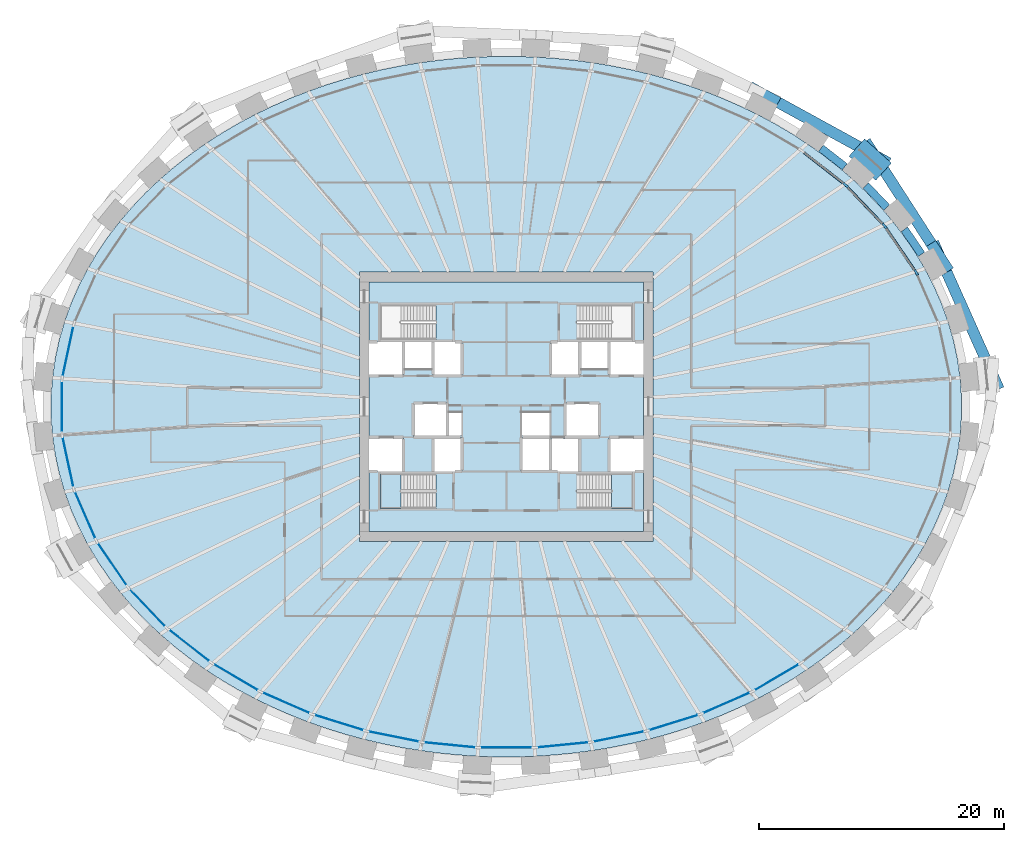
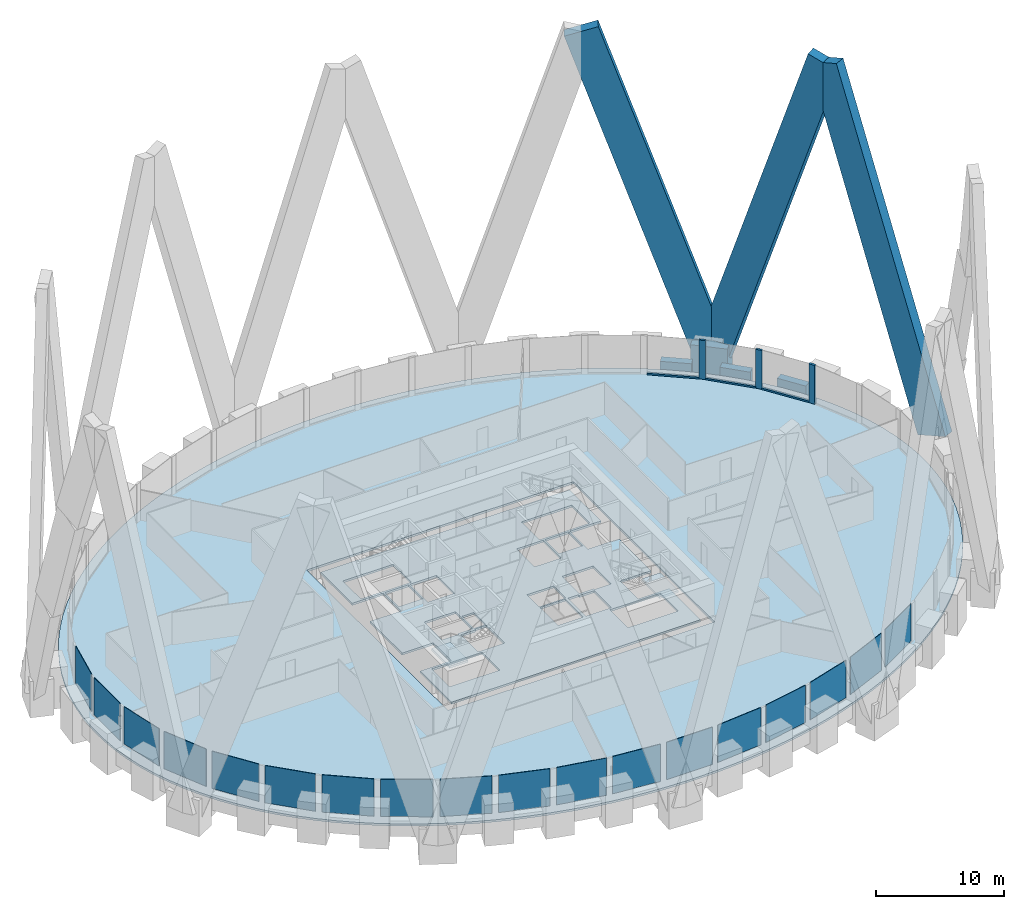
# One storey, part 5 of 12: 18 plates, 10 members, 4 slabs, 3 beams, 3 elements without a shape of their own.
"""IFC4 building model written with IfcOpenShell, lengths in metres."""

from ifc_helpers import new_model, si_unit, direction, frame, origin, origin_2d, place, context, subcontext, project, spatial, polyline, rectangle, outline, extrude, source, transform, mapped, material, layer, layer_set, material_profile, profile_set, type_object, element, aggregate, save


model = new_model("IFC4")

# Units and contexts
model_context = context("Model", 3, precision=1e-05, world=origin(), true_north=direction((0.0, 1.0)))
body_context = subcontext(model_context, "Body", "Model", "MODEL_VIEW")
ifc_project = project(units=[si_unit("LENGTHUNIT", "METRE"), si_unit("AREAUNIT", "SQUARE_METRE"), si_unit("VOLUMEUNIT", "CUBIC_METRE"), si_unit("PLANEANGLEUNIT", "RADIAN"), si_unit("MASSUNIT", "GRAM", prefix="KILO")], contexts=[model_context])

# Site, building, storey
site_placement = place(None, origin())
site = spatial("IfcSite", under=ifc_project, at=site_placement, CompositionType="ELEMENT")
building_placement = place(site_placement, origin())
building = spatial("IfcBuilding", under=site, at=building_placement, Name="Embergate Tower", CompositionType="ELEMENT")
storey_placement = place(building_placement, frame((0.0, 0.0, 159.89990234375)))
storey = spatial("IfcBuildingStorey", under=building, at=storey_placement, Name="L35", CompositionType="ELEMENT", Elevation=159.89990234375)

# Beams
ifc_material_1 = material(Name="Concrete C70", Category="concrete")
ifc_material_profile_1 = material_profile(ifc_material_1, rectangle(XDim=0.64990234375, YDim=1.5, at=origin_2d()), Name="RC 650x1500")
ifc_profile_set_1 = profile_set([ifc_material_profile_1], Name="Concrete C70")
beam_type = type_object("IfcBeamType", Name="Spandrel beam RC 650x1500 C70", PredefinedType="BEAM", material=ifc_profile_set_1)
shared_shape_1 = source(origin(), body_context, "Body", "SweptSolid", [
    extrude(rectangle(XDim=0.64990234375, YDim=1.5, at=origin_2d()), origin(), (0.0, 0.0, 1.0), 2.4775390625),
])
beam_1_placement = place(storey_placement, frame((33.910888671875, 12.43701171875, 0.0), z_axis=(-0.562159078618, 0.827029123022, 0.0), x_axis=(-0.827029123022, -0.562159078618, 0.0)))
element("IfcBeam", 1, at=beam_1_placement, inside=storey, type_object=beam_type, Name="SPN-L35-02", PredefinedType="BEAM", context=body_context, shape_type="MappedRepresentation", body=[
    mapped(shared_shape_1, transform((0.0, 0.0, 0.0))),
])
shared_shape_2 = source(origin(), body_context, "Body", "SweptSolid", [
    extrude(rectangle(XDim=0.64990234375, YDim=1.5, at=origin_2d()), origin(), (0.0, 0.0, 1.0), 2.473388671875),
])
beam_2_placement = place(storey_placement, frame((31.072021484375, 16.27490234375, 0.0), z_axis=(-0.69012823406, 0.723687101276, 0.0), x_axis=(-0.723687101276, -0.69012823406, 0.0)))
element("IfcBeam", 2, at=beam_2_placement, inside=storey, type_object=beam_type, Name="SPN-L35-03", PredefinedType="BEAM", context=body_context, shape_type="MappedRepresentation", body=[
    mapped(shared_shape_2, transform((0.0, 0.0, 0.0))),
])
shared_shape_3 = source(origin(), body_context, "Body", "SweptSolid", [
    extrude(rectangle(XDim=0.64990234375, YDim=1.5, at=origin_2d()), origin(), (0.0, 0.0, 1.0), 2.466552734375),
])
beam_3_placement = place(storey_placement, frame((27.64697265625, 19.593994140625, 0.0), z_axis=(-0.788172909908, 0.615453868367, 0.0), x_axis=(-0.615453868367, -0.788172909908, 0.0)))
element("IfcBeam", 3, at=beam_3_placement, inside=storey, type_object=beam_type, Name="SPN-L35-04", PredefinedType="BEAM", context=body_context, shape_type="MappedRepresentation", body=[
    mapped(shared_shape_3, transform((0.0, 0.0, 0.0))),
])

# Members
ifc_material_profile_2 = material_profile(ifc_material_1, rectangle(XDim=1.89990234375, YDim=2.949951171875, at=origin_2d()), Name="RC 1900x2950")
ifc_profile_set_2 = profile_set([ifc_material_profile_2], Name="Concrete C70")
member_type_1 = type_object("IfcMemberType", Name="Lattice node block RC 1900x2950", PredefinedType="POST", material=ifc_profile_set_2)
shared_shape_4 = source(origin(), body_context, "Body", "SweptSolid", [
    extrude(rectangle(XDim=1.89990234375, YDim=2.949951171875, at=origin_2d()), origin(), (0.0, 0.0, 1.0), 3.400146484375),
])
member_1_placement = place(storey_placement, frame((29.722900390625, 20.180908203125, -1.699951171875), z_axis=(0.0, 0.0, 1.0), x_axis=(0.669208424634, 0.74307475021, 0.0)))
element("IfcMember", 4, at=member_1_placement, inside=storey, type_object=member_type_1, Name="NOD-L35-04", PredefinedType="POST", context=body_context, shape_type="MappedRepresentation", body=[
    mapped(shared_shape_4, transform((0.0, 0.0, 0.0))),
])
ifc_material_profile_3 = material_profile(ifc_material_1, rectangle(XDim=0.89990234375, YDim=2.800048828125, at=origin_2d()), Name="RC 900x2800")
ifc_profile_set_3 = profile_set([ifc_material_profile_3], Name="Concrete C70")
member_type_2 = type_object("IfcMemberType", Name="Lattice diagonal terracotta-faced RC 900x2800", PredefinedType="BRACE", material=ifc_profile_set_3)
shared_shape_5 = source(origin(), body_context, "Body", "SweptSolid", [
    extrude(rectangle(XDim=0.89990234375, YDim=2.800048828125, at=origin_2d()), origin(), (0.0, 0.0, 1.0), 32.9140625),
])
member_2_placement = place(storey_placement, frame((39.698974609375, 2.636962890625, 0.0), z_axis=(-0.129940403603, 0.290760011464, 0.947931488687), x_axis=(-0.912977884992, -0.408009045876, 0.0)))
element("IfcMember", 5, at=member_2_placement, inside=storey, type_object=member_type_2, Name="BRC-L35-00-02-S00", PredefinedType="BRACE", context=body_context, shape_type="MappedRepresentation", body=[
    mapped(shared_shape_5, transform((0.0, 0.0, 0.0))),
])
shared_shape_6 = source(origin(), body_context, "Body", "SweptSolid", [
    extrude(rectangle(XDim=0.89990234375, YDim=2.800048828125, at=origin_2d()), origin(), (0.0, 0.0, 1.0), 32.739013671875),
])
member_3_placement = place(storey_placement, frame((30.052978515625, 20.547119140625, 0.0), z_axis=(0.163998706133, -0.254745352865, 0.953000120451), x_axis=(0.840827220232, 0.54130359847, 0.0)))
element("IfcMember", 6, at=member_3_placement, inside=storey, type_object=member_type_2, Name="BRC-L35-04-02-S00", PredefinedType="BRACE", context=body_context, shape_type="MappedRepresentation", body=[
    mapped(shared_shape_6, transform((0.0, 0.0, 0.0))),
])
shared_shape_7 = source(origin(), body_context, "Body", "SweptSolid", [
    extrude(rectangle(XDim=0.89990234375, YDim=2.800048828125, at=origin_2d()), origin(), (0.0, 0.0, 1.0), 32.844482421875),
])
member_4_placement = place(storey_placement, frame((30.052978515625, 20.547119140625, 0.0), z_axis=(-0.273959191558, 0.150218181631, 0.949937292282), x_axis=(-0.480789539649, -0.876836027182, 0.0)))
element("IfcMember", 7, at=member_4_placement, inside=storey, type_object=member_type_2, Name="BRC-L35-04-06-S00", PredefinedType="BRACE", context=body_context, shape_type="MappedRepresentation", body=[
    mapped(shared_shape_7, transform((0.0, 0.0, 0.0))),
])

# Curtain wall, members
ifc_material_2 = material(Name="Aluminium and glass", Category="aluminium")
curtain_wall_type = type_object("IfcCurtainWallType", Name="Recessed office glazing", PredefinedType="NOTDEFINED", material=ifc_material_2)
curtain_wall_placement = place(storey_placement, origin())
curtain_wall = element("IfcCurtainWall", 8, at=curtain_wall_placement, inside=storey, type_object=curtain_wall_type, Name="Recessed office glazing ring", ObjectType="RECESSED OFFICE GLAZING", PredefinedType="USERDEFINED")
ifc_material_3 = material(Name="Aluminium, thermally broken", Category="aluminium")
ifc_material_profile_4 = material_profile(ifc_material_3, rectangle(XDim=0.179931640625, YDim=0.52001953125, at=origin_2d()), Name="AL 520x180")
ifc_profile_set_4 = profile_set([ifc_material_profile_4], Name="Aluminium, thermally broken")
member_type_3 = type_object("IfcMemberType", Name="Office mullion", PredefinedType="MULLION", material=ifc_profile_set_4)
shared_shape_8 = source(origin(), body_context, "Body", "SweptSolid", [
    extrude(rectangle(XDim=0.179931640625, YDim=0.52001953125, at=origin_2d()), origin(), (0.0, 0.0, 1.0), 3.7001953125),
])
member_5_placement = place(storey_placement, frame((33.4765625, 10.96240234375, 0.0), z_axis=(0.0, 0.0, 1.0), x_axis=(-0.875001895832, -0.484119491748, 0.0)))
member_5 = element("IfcMember", 9, at=member_5_placement, type_object=member_type_3, Name="CW mullion 3", PredefinedType="MULLION", context=body_context, shape_type="MappedRepresentation", body=[
    mapped(shared_shape_8, transform((0.0, 0.0, 0.0))),
])
member_6_placement = place(storey_placement, frame((30.89306640625, 14.76123046875, 0.0), z_axis=(0.0, 0.0, 1.0), x_axis=(-0.777872564355, -0.628422050555, 0.0)))
member_6 = element("IfcMember", 10, at=member_6_placement, type_object=member_type_3, Name="CW mullion 4", PredefinedType="MULLION", context=body_context, shape_type="MappedRepresentation", body=[
    mapped(shared_shape_8, transform((0.0, 0.0, 0.0))),
])
member_7_placement = place(storey_placement, frame((27.716796875, 18.092041015625, 0.0), z_axis=(0.0, 0.0, 1.0), x_axis=(-0.671226533956, -0.741252278319, 0.0)))
member_7 = element("IfcMember", 11, at=member_7_placement, type_object=member_type_3, Name="CW mullion 5", PredefinedType="MULLION", context=body_context, shape_type="MappedRepresentation", body=[
    mapped(shared_shape_8, transform((0.0, 0.0, 0.0))),
])
ifc_material_profile_5 = material_profile(ifc_material_3, rectangle(XDim=0.179931640625, YDim=0.14990234375, at=origin_2d()), Name="AL 150x180")
ifc_profile_set_5 = profile_set([ifc_material_profile_5], Name="Aluminium, thermally broken")
member_type_4 = type_object("IfcMemberType", Name="Office sill transom", PredefinedType="USERDEFINED", material=ifc_profile_set_5)
shared_shape_9 = source(origin(), body_context, "Body", "SweptSolid", [
    extrude(rectangle(XDim=0.179931640625, YDim=0.14990234375, at=origin_2d()), origin(), (0.0, 0.0, 1.0), 4.073974609375),
])
member_8_placement = place(storey_placement, frame((33.330322265625, 11.177490234375, 0.0751953125), z_axis=(-0.562337885641, 0.826907553704, 0.0), x_axis=(-0.826907553704, -0.562337885641, 0.0)))
member_8 = element("IfcMember", 12, at=member_8_placement, type_object=member_type_4, Name="CW transom 3.1", ObjectType="TRANSOM", PredefinedType="USERDEFINED", context=body_context, shape_type="MappedRepresentation", body=[
    mapped(shared_shape_9, transform((0.0, 0.0, 0.0))),
])
shared_shape_10 = source(origin(), body_context, "Body", "SweptSolid", [
    extrude(rectangle(XDim=0.179931640625, YDim=0.14990234375, at=origin_2d()), origin(), (0.0, 0.0, 1.0), 4.082763671875),
])
member_9_placement = place(storey_placement, frame((30.713623046875, 14.949462890625, 0.0751953125), z_axis=(-0.690134333582, 0.723681284552, 0.0), x_axis=(-0.723681284552, -0.690134333582, 0.0)))
member_9 = element("IfcMember", 13, at=member_9_placement, type_object=member_type_4, Name="CW transom 4.1", ObjectType="TRANSOM", PredefinedType="USERDEFINED", context=body_context, shape_type="MappedRepresentation", body=[
    mapped(shared_shape_10, transform((0.0, 0.0, 0.0))),
])
shared_shape_11 = source(origin(), body_context, "Body", "SweptSolid", [
    extrude(rectangle(XDim=0.179931640625, YDim=0.14990234375, at=origin_2d()), origin(), (0.0, 0.0, 1.0), 4.090087890625),
])
member_10_placement = place(storey_placement, frame((27.51171875, 18.252197265625, 0.0751953125), z_axis=(-0.788341910095, 0.615237379219, 0.0), x_axis=(-0.615237379219, -0.788341910095, 0.0)))
member_10 = element("IfcMember", 14, at=member_10_placement, type_object=member_type_4, Name="CW transom 5.1", ObjectType="TRANSOM", PredefinedType="USERDEFINED", context=body_context, shape_type="MappedRepresentation", body=[
    mapped(shared_shape_11, transform((0.0, 0.0, 0.0))),
])

# Slab
ifc_material_4 = material(Name="Concrete C40", Category="concrete")
ifc_layer_1 = layer(ifc_material_4, 0.199951171875)
ifc_layer_set_1 = layer_set([ifc_layer_1], Name="Concrete C40")
slab_type_1 = type_object("IfcSlabType", Name="Composite floor slab C40 200", PredefinedType="FLOOR", material=ifc_layer_set_1)
shared_shape_12 = source(origin(), body_context, "Body", "SweptSolid", [
    extrude(outline(polyline([(0.0, 0.0), (1.57421875, 0.0), (3.14501953125, 0.052001953125), (4.718017578125, 0.154052734375), (6.2841796875, 0.307861328125), (7.840087890625, 0.512939453125), (9.398193359375, 0.77099609375), (10.941162109375, 1.0810546875), (12.464111328125, 1.44091796875), (13.9921875, 1.85791015625), (15.494140625, 2.324951171875), (16.968017578125, 2.843017578125), (18.444091796875, 3.4228515625), (19.88623046875, 4.053955078125), (21.2890625, 4.73291015625), (22.691162109375, 5.48095703125), (24.047119140625, 6.27783203125), (25.35400390625, 7.123046875), (26.652099609375, 8.0439453125), (27.89208984375, 9.011962890625), (29.071044921875, 10.02392578125), (30.22802734375, 11.118896484375), (31.31298828125, 12.2568359375), (32.32421875, 13.434814453125), (33.294189453125, 14.698974609375), (34.17822265625, 15.9990234375), (34.97509765625, 17.33203125), (35.7041015625, 18.743896484375), (36.336181640625, 20.183837890625), (36.8671875, 21.64697265625), (37.30615234375, 23.16796875), (37.63623046875, 24.703857421875), (37.858154296875, 26.251953125), (37.97021484375, 27.821044921875), (37.97021484375, 29.392822265625), (37.858154296875, 30.9619140625), (37.63623046875, 32.510009765625), (37.30615234375, 34.0458984375), (36.8671875, 35.56689453125), (36.336181640625, 37.030029296875), (35.7041015625, 38.469970703125), (34.97509765625, 39.8818359375), (34.17822265625, 41.21484375), (33.294189453125, 42.514892578125), (32.32421875, 43.779052734375), (31.31298828125, 44.95703125), (30.22802734375, 46.094970703125), (29.071044921875, 47.18994140625), (27.89208984375, 48.201904296875), (26.652099609375, 49.169921875), (25.35400390625, 50.0908203125), (24.047119140625, 50.93603515625), (22.691162109375, 51.73291015625), (21.2890625, 52.48095703125), (19.88623046875, 53.159912109375), (18.444091796875, 53.791015625), (16.968017578125, 54.370849609375), (15.494140625, 54.888916015625), (13.9921875, 55.35595703125), (12.464111328125, 55.77294921875), (10.941162109375, 56.1328125), (9.398193359375, 56.44287109375), (7.840087890625, 56.700927734375), (6.2841796875, 56.906005859375), (4.718017578125, 57.059814453125), (3.14501953125, 57.161865234375), (1.57421875, 57.2138671875), (0.0, 57.2138671875), (-1.57080078125, 57.161865234375), (-3.143798828125, 57.059814453125), (-4.7099609375, 56.906005859375), (-6.265869140625, 56.700927734375), (-7.823974609375, 56.44287109375), (-9.366943359375, 56.1328125), (-10.889892578125, 55.77294921875), (-12.41796875, 55.35595703125), (-13.919921875, 54.888916015625), (-15.393798828125, 54.370849609375), (-16.869873046875, 53.791015625), (-18.31201171875, 53.159912109375), (-19.71484375, 52.48095703125), (-21.116943359375, 51.73291015625), (-22.472900390625, 50.93603515625), (-23.77978515625, 50.0908203125), (-25.077880859375, 49.169921875), (-26.31787109375, 48.201904296875), (-27.496826171875, 47.18994140625), (-28.65380859375, 46.094970703125), (-29.73876953125, 44.95703125), (-30.75, 43.779052734375), (-31.719970703125, 42.514892578125), (-32.60400390625, 41.21484375), (-33.40087890625, 39.8818359375), (-34.1298828125, 38.469970703125), (-34.761962890625, 37.030029296875), (-35.29296875, 35.56689453125), (-35.73193359375, 34.0458984375), (-36.06201171875, 32.510009765625), (-36.283935546875, 30.9619140625), (-36.39599609375, 29.392822265625), (-36.39599609375, 27.821044921875), (-36.283935546875, 26.251953125), (-36.06201171875, 24.703857421875), (-35.73193359375, 23.16796875), (-35.29296875, 21.64697265625), (-34.761962890625, 20.183837890625), (-34.1298828125, 18.743896484375), (-33.40087890625, 17.33203125), (-32.60400390625, 15.9990234375), (-31.719970703125, 14.698974609375), (-30.75, 13.434814453125), (-29.73876953125, 12.2568359375), (-28.65380859375, 11.118896484375), (-27.496826171875, 10.02392578125), (-26.31787109375, 9.011962890625), (-25.077880859375, 8.0439453125), (-23.77978515625, 7.123046875), (-22.472900390625, 6.27783203125), (-21.116943359375, 5.48095703125), (-19.71484375, 4.73291015625), (-18.31201171875, 4.053955078125), (-16.869873046875, 3.4228515625), (-15.393798828125, 2.843017578125), (-13.919921875, 2.324951171875), (-12.41796875, 1.85791015625), (-10.889892578125, 1.44091796875), (-9.366943359375, 1.0810546875), (-7.823974609375, 0.77099609375), (-6.265869140625, 0.512939453125), (-4.7099609375, 0.307861328125), (-3.143798828125, 0.154052734375), (-1.57080078125, 0.052001953125), (0.0, 0.0)]), holes=[polyline([(-11.212890625, 17.60693359375), (-11.212890625, 39.60693359375), (12.787109375, 39.60693359375), (12.787109375, 17.60693359375), (-11.212890625, 17.60693359375)])]), origin(), (0.0, 0.0, 1.0), 0.199951171875),
])
slab_1_placement = place(storey_placement, frame((-0.787109375, -28.60693359375, -0.199951171875)))
element("IfcSlab", 15, at=slab_1_placement, inside=storey, type_object=slab_type_1, Name="SLB-L35-00", PredefinedType="FLOOR", context=body_context, shape_type="MappedRepresentation", body=[
    mapped(shared_shape_12, transform((0.0, 0.0, 0.0))),
])

# Plate
ifc_material_5 = material(Name="Triple glazing, low-emissivity coating", Category="glass")
ifc_layer_2 = layer(ifc_material_5, 0.035888671875)
ifc_layer_set_2 = layer_set([ifc_layer_2], Name="Triple glazing, low-emissivity coating")
plate_type = type_object("IfcPlateType", Name="Office glazing unit", PredefinedType="CURTAIN_PANEL", material=ifc_layer_set_2)
shared_shape_13 = source(origin(), body_context, "Body", "SweptSolid", [
    extrude(rectangle(XDim=4.05810546875, YDim=0.035888671875, at=origin_2d()), origin(), (0.0, 0.0, 1.0), 3.550048828125),
])
plate_1_placement = place(storey_placement, frame((-35.7998046875, 4.525634765625, 0.14990234375), z_axis=(0.0, 0.0, 1.0), x_axis=(-0.210398391177, -0.97761573074, 0.0)))
plate_1 = element("IfcPlate", 16, at=plate_1_placement, type_object=plate_type, Name="CW panel 21.1", PredefinedType="CURTAIN_PANEL", context=body_context, shape_type="MappedRepresentation", body=[
    mapped(shared_shape_13, transform((0.0, 0.0, 0.0))),
])

plate_2_placement = place(storey_placement, frame((-35.7998046875, -4.525634765625, 0.14990234375), z_axis=(0.0, 0.0, 1.0), x_axis=(0.210398391177, -0.97761573074, 0.0)))
plate_2 = element("IfcPlate", 17, at=plate_2_placement, type_object=plate_type, Name="CW panel 23.1", PredefinedType="CURTAIN_PANEL", context=body_context, shape_type="MappedRepresentation", body=[
    mapped(shared_shape_13, transform((0.0, 0.0, 0.0))),
])

shared_shape_14 = source(origin(), body_context, "Body", "SweptSolid", [
    extrude(rectangle(XDim=4.065185546875, YDim=0.035888671875, at=origin_2d()), origin(), (0.0, 0.0, 1.0), 3.550048828125),
])
plate_3_placement = place(storey_placement, frame((-34.397216796875, -8.863037109375, 0.14990234375), z_axis=(0.0, 0.0, 1.0), x_axis=(0.401652101157, -0.91579232888, 0.0)))
plate_3 = element("IfcPlate", 18, at=plate_3_placement, type_object=plate_type, Name="CW panel 24.1", PredefinedType="CURTAIN_PANEL", context=body_context, shape_type="MappedRepresentation", body=[
    mapped(shared_shape_14, transform((0.0, 0.0, 0.0))),
])

shared_shape_15 = source(origin(), body_context, "Body", "SweptSolid", [
    extrude(rectangle(XDim=4.073974609375, YDim=0.035888671875, at=origin_2d()), origin(), (0.0, 0.0, 1.0), 3.550048828125),
])
plate_4_placement = place(storey_placement, frame((-32.184814453125, -12.86181640625, 0.14990234375), z_axis=(0.0, 0.0, 1.0), x_axis=(0.562341741915, -0.826904931234, 0.0)))
plate_4 = element("IfcPlate", 19, at=plate_4_placement, type_object=plate_type, Name="CW panel 25.1", PredefinedType="CURTAIN_PANEL", context=body_context, shape_type="MappedRepresentation", body=[
    mapped(shared_shape_15, transform((0.0, 0.0, 0.0))),
])

shared_shape_16 = source(origin(), body_context, "Body", "SweptSolid", [
    extrude(rectangle(XDim=4.08251953125, YDim=0.035888671875, at=origin_2d()), origin(), (0.0, 0.0, 1.0), 3.550048828125),
])
plate_5_placement = place(storey_placement, frame((-29.304931640625, -16.4267578125, 0.14990234375), z_axis=(0.0, 0.0, 1.0), x_axis=(0.690135047526, -0.723680603703, 0.0)))
plate_5 = element("IfcPlate", 20, at=plate_5_placement, type_object=plate_type, Name="CW panel 26.1", PredefinedType="CURTAIN_PANEL", context=body_context, shape_type="MappedRepresentation", body=[
    mapped(shared_shape_16, transform((0.0, 0.0, 0.0))),
])

shared_shape_17 = source(origin(), body_context, "Body", "SweptSolid", [
    extrude(rectangle(XDim=4.090087890625, YDim=0.035888671875, at=origin_2d()), origin(), (0.0, 0.0, 1.0), 3.550048828125),
])
plate_6_placement = place(storey_placement, frame((-25.899658203125, -19.510498046875, 0.14990234375), z_axis=(0.0, 0.0, 1.0), x_axis=(0.788320119254, -0.615265300158, 0.0)))
plate_6 = element("IfcPlate", 21, at=plate_6_placement, type_object=plate_type, Name="CW panel 27.1", PredefinedType="CURTAIN_PANEL", context=body_context, shape_type="MappedRepresentation", body=[
    mapped(shared_shape_17, transform((0.0, 0.0, 0.0))),
])

shared_shape_18 = source(origin(), body_context, "Body", "SweptSolid", [
    extrude(rectangle(XDim=4.09619140625, YDim=0.035888671875, at=origin_2d()), origin(), (0.0, 0.0, 1.0), 3.550048828125),
])
plate_7_placement = place(storey_placement, frame((-22.0927734375, -22.098388671875, 0.14990234375), z_axis=(0.0, 0.0, 1.0), x_axis=(0.862053167811, -0.50681785275, 0.0)))
plate_7 = element("IfcPlate", 22, at=plate_7_placement, type_object=plate_type, Name="CW panel 28.1", PredefinedType="CURTAIN_PANEL", context=body_context, shape_type="MappedRepresentation", body=[
    mapped(shared_shape_18, transform((0.0, 0.0, 0.0))),
])

plate_8_placement = place(storey_placement, frame((22.0927734375, -22.098388671875, 0.14990234375), z_axis=(0.0, 0.0, 1.0), x_axis=(0.862053167811, 0.50681785275, 0.0)))
plate_8 = element("IfcPlate", 23, at=plate_8_placement, type_object=plate_type, Name="CW panel 38.1", PredefinedType="CURTAIN_PANEL", context=body_context, shape_type="MappedRepresentation", body=[
    mapped(shared_shape_18, transform((0.0, 0.0, 0.0))),
])

shared_shape_19 = source(origin(), body_context, "Body", "SweptSolid", [
    extrude(rectangle(XDim=4.1005859375, YDim=0.035888671875, at=origin_2d()), origin(), (0.0, 0.0, 1.0), 3.550048828125),
])
plate_9_placement = place(storey_placement, frame((-17.986328125, -24.193603515625, 0.14990234375), z_axis=(0.0, 0.0, 1.0), x_axis=(0.916236211741, -0.400638495772, 0.0)))
plate_9 = element("IfcPlate", 24, at=plate_9_placement, type_object=plate_type, Name="CW panel 29.1", PredefinedType="CURTAIN_PANEL", context=body_context, shape_type="MappedRepresentation", body=[
    mapped(shared_shape_19, transform((0.0, 0.0, 0.0))),
])

plate_10_placement = place(storey_placement, frame((17.986328125, -24.193603515625, 0.14990234375), z_axis=(0.0, 0.0, 1.0), x_axis=(0.916236211741, 0.400638495772, 0.0)))
plate_10 = element("IfcPlate", 25, at=plate_10_placement, type_object=plate_type, Name="CW panel 37.1", PredefinedType="CURTAIN_PANEL", context=body_context, shape_type="MappedRepresentation", body=[
    mapped(shared_shape_19, transform((0.0, 0.0, 0.0))),
])

shared_shape_20 = source(origin(), body_context, "Body", "SweptSolid", [
    extrude(rectangle(XDim=4.10400390625, YDim=0.035888671875, at=origin_2d()), origin(), (0.0, 0.0, 1.0), 3.550048828125),
])
plate_11_placement = place(storey_placement, frame((-13.662109375, -25.806640625, 0.14990234375), z_axis=(0.0, 0.0, 1.0), x_axis=(0.954772217174, -0.297338213676, 0.0)))
plate_11 = element("IfcPlate", 26, at=plate_11_placement, type_object=plate_type, Name="CW panel 30.1", PredefinedType="CURTAIN_PANEL", context=body_context, shape_type="MappedRepresentation", body=[
    mapped(shared_shape_20, transform((0.0, 0.0, 0.0))),
])

plate_12_placement = place(storey_placement, frame((13.662109375, -25.806640625, 0.14990234375), z_axis=(0.0, 0.0, 1.0), x_axis=(0.954772217174, 0.297338213676, 0.0)))
plate_12 = element("IfcPlate", 27, at=plate_12_placement, type_object=plate_type, Name="CW panel 36.1", PredefinedType="CURTAIN_PANEL", context=body_context, shape_type="MappedRepresentation", body=[
    mapped(shared_shape_20, transform((0.0, 0.0, 0.0))),
])

shared_shape_21 = source(origin(), body_context, "Body", "SweptSolid", [
    extrude(rectangle(XDim=4.106201171875, YDim=0.035888671875, at=origin_2d()), origin(), (0.0, 0.0, 1.0), 3.550048828125),
])
plate_13_placement = place(storey_placement, frame((-9.18701171875, -26.948974609375, 0.14990234375), z_axis=(0.0, 0.0, 1.0), x_axis=(0.980475907409, -0.196639250889, 0.0)))
plate_13 = element("IfcPlate", 28, at=plate_13_placement, type_object=plate_type, Name="CW panel 31.1", PredefinedType="CURTAIN_PANEL", context=body_context, shape_type="MappedRepresentation", body=[
    mapped(shared_shape_21, transform((0.0, 0.0, 0.0))),
])

plate_14_placement = place(storey_placement, frame((9.18701171875, -26.948974609375, 0.14990234375), z_axis=(0.0, 0.0, 1.0), x_axis=(0.980475907409, 0.196639250889, 0.0)))
plate_14 = element("IfcPlate", 29, at=plate_14_placement, type_object=plate_type, Name="CW panel 35.1", PredefinedType="CURTAIN_PANEL", context=body_context, shape_type="MappedRepresentation", body=[
    mapped(shared_shape_21, transform((0.0, 0.0, 0.0))),
])

shared_shape_22 = source(origin(), body_context, "Body", "SweptSolid", [
    extrude(rectangle(XDim=4.107421875, YDim=0.035888671875, at=origin_2d()), origin(), (0.0, 0.0, 1.0), 3.550048828125),
])
plate_15_placement = place(storey_placement, frame((-4.616455078125, -27.630126953125, 0.14990234375), z_axis=(0.0, 0.0, 1.0), x_axis=(0.995203184788, -0.097829550688, 0.0)))
plate_15 = element("IfcPlate", 30, at=plate_15_placement, type_object=plate_type, Name="CW panel 32.1", PredefinedType="CURTAIN_PANEL", context=body_context, shape_type="MappedRepresentation", body=[
    mapped(shared_shape_22, transform((0.0, 0.0, 0.0))),
])

plate_16_placement = place(storey_placement, frame((4.616455078125, -27.630126953125, 0.14990234375), z_axis=(0.0, 0.0, 1.0), x_axis=(0.995203184788, 0.097829550688, 0.0)))
plate_16 = element("IfcPlate", 31, at=plate_16_placement, type_object=plate_type, Name="CW panel 34.1", PredefinedType="CURTAIN_PANEL", context=body_context, shape_type="MappedRepresentation", body=[
    mapped(shared_shape_22, transform((0.0, 0.0, 0.0))),
])

shared_shape_23 = source(origin(), body_context, "Body", "SweptSolid", [
    extrude(rectangle(XDim=4.10791015625, YDim=0.035888671875, at=origin_2d()), origin(), (0.0, 0.0, 1.0), 3.550048828125),
])
plate_17_placement = place(storey_placement, frame((0.0, -27.8564453125, 0.14990234375), z_axis=(0.0, 0.0, 1.0), x_axis=(1.0, 0.0, 0.0)))
plate_17 = element("IfcPlate", 32, at=plate_17_placement, type_object=plate_type, Name="CW panel 33.1", PredefinedType="CURTAIN_PANEL", context=body_context, shape_type="MappedRepresentation", body=[
    mapped(shared_shape_23, transform((0.0, 0.0, 0.0))),
])

shared_shape_24 = source(origin(), body_context, "Body", "SweptSolid", [
    extrude(rectangle(XDim=4.055419921875, YDim=0.035888671875, at=origin_2d()), origin(), (0.0, 0.0, 1.0), 3.550048828125),
])
plate_18_placement = place(storey_placement, frame((-36.281494140625, 0.0, 0.14990234375), z_axis=(0.0, 0.0, 1.0), x_axis=(0.0, -1.0, 0.0)))
plate_18 = element("IfcPlate", 33, at=plate_18_placement, type_object=plate_type, Name="CW panel 22.1", PredefinedType="CURTAIN_PANEL", context=body_context, shape_type="MappedRepresentation", body=[
    mapped(shared_shape_24, transform((0.0, 0.0, 0.0))),
])

aggregate(curtain_wall, [member_5, member_6, member_7, member_8, member_9, member_10, plate_1, plate_18, plate_2, plate_3, plate_4, plate_5, plate_6, plate_7, plate_9, plate_11, plate_13, plate_15, plate_17, plate_16, plate_14, plate_12, plate_10, plate_8])

# Stair, slab
ifc_material_6 = material(Name="Exit stair")
stair_type = type_object("IfcStairType", Name="Exit stair", PredefinedType="HALF_TURN_STAIR", material=ifc_material_6)
stair_1_placement = place(storey_placement, origin())
stair_1 = element("IfcStair", 34, at=stair_1_placement, inside=storey, type_object=stair_type, Name="L35 Exit stair 3", PredefinedType="HALF_TURN_STAIR")
ifc_layer_3 = layer(ifc_material_4, 0.199951171875)
ifc_layer_set_3 = layer_set([ifc_layer_3], Name="Concrete C40")
slab_type_2 = type_object("IfcSlabType", Name="Stair landing reinforced concrete", PredefinedType="LANDING", material=ifc_layer_set_3)
shared_shape_25 = source(origin(), body_context, "Body", "SweptSolid", [
    extrude(outline(polyline([(0.0, 0.0), (1.68994140625, 0.0), (1.68994140625, 2.800048828125), (0.0, 2.800048828125), (0.0, 0.0)])), origin(), (0.0, 0.0, 1.0), 0.2001953125),
])
slab_2_placement = place(storey_placement, frame((-10.300048828125, -8.300048828125, 1.75)))
slab_2 = element("IfcSlab", 35, at=slab_2_placement, type_object=slab_type_2, Name="ST3 landing 1", PredefinedType="LANDING", context=body_context, shape_type="MappedRepresentation", body=[
    mapped(shared_shape_25, transform((0.0, 0.0, 0.0))),
])
aggregate(stair_1, [slab_2])

stair_2_placement = place(storey_placement, origin())
stair_2 = element("IfcStair", 36, at=stair_2_placement, inside=storey, type_object=stair_type, Name="L35 Exit stair 4", PredefinedType="HALF_TURN_STAIR")
slab_3_placement = place(storey_placement, frame((8.610107421875, -8.300048828125, 1.75)))
slab_3 = element("IfcSlab", 37, at=slab_3_placement, type_object=slab_type_2, Name="ST4 landing 1", PredefinedType="LANDING", context=body_context, shape_type="MappedRepresentation", body=[
    mapped(shared_shape_25, transform((0.0, 0.0, 0.0))),
])
aggregate(stair_2, [slab_3])

# Slab
ifc_layer_4 = layer(ifc_material_4, 0.199951171875)
ifc_layer_set_4 = layer_set([ifc_layer_4], Name="Concrete C40")
slab_type_3 = type_object("IfcSlabType", Name="Core floor slab 200 reinforced concrete", PredefinedType="FLOOR", material=ifc_layer_set_4)
shared_shape_26 = source(origin(), body_context, "Body", "SweptSolid", [
    extrude(outline(polyline([(0.0, 0.0), (22.39990234375, 0.0), (22.39990234375, 4.89990234375), (19.599853515625, 4.89990234375), (19.599853515625, 7.699951171875), (22.39990234375, 7.699951171875), (22.39990234375, 12.699951171875), (19.599853515625, 12.699951171875), (19.599853515625, 15.5), (22.39990234375, 15.5), (22.39990234375, 20.39990234375), (0.0, 20.39990234375), (0.0, 15.5), (2.800048828125, 15.5), (2.800048828125, 12.699951171875), (0.0, 12.699951171875), (0.0, 7.699951171875), (2.800048828125, 7.699951171875), (2.800048828125, 4.89990234375), (0.0, 4.89990234375), (0.0, 0.0)]), holes=[polyline([(0.89990234375, 1.89990234375), (0.89990234375, 4.699951171875), (5.43994140625, 4.699951171875), (5.43994140625, 1.89990234375), (0.89990234375, 1.89990234375)]), polyline([(16.9599609375, 1.89990234375), (16.9599609375, 4.699951171875), (21.5, 4.699951171875), (21.5, 1.89990234375), (16.9599609375, 1.89990234375)]), polyline([(5.199951171875, 4.89990234375), (5.199951171875, 7.574951171875), (6.52490234375, 7.574951171875), (6.52490234375, 7.699951171875), (7.599853515625, 7.699951171875), (7.599853515625, 4.89990234375), (5.199951171875, 4.89990234375)]), polyline([(12.39990234375, 4.89990234375), (12.39990234375, 7.699951171875), (14.675048828125, 7.699951171875), (14.675048828125, 4.89990234375), (12.39990234375, 4.89990234375)]), polyline([(14.925048828125, 4.89990234375), (14.925048828125, 7.699951171875), (15.875, 7.699951171875), (15.875, 7.574951171875), (17.199951171875, 7.574951171875), (17.199951171875, 4.89990234375), (14.925048828125, 4.89990234375)]), polyline([(3.599853515625, 7.699951171875), (3.599853515625, 10.5), (6.39990234375, 10.5), (6.39990234375, 7.824951171875), (5.074951171875, 7.824951171875), (5.074951171875, 7.699951171875), (3.599853515625, 7.699951171875)]), polyline([(17.324951171875, 7.699951171875), (17.324951171875, 7.824951171875), (16.0, 7.824951171875), (16.0, 10.5), (18.800048828125, 10.5), (18.800048828125, 7.699951171875), (17.324951171875, 7.699951171875)]), polyline([(6.52490234375, 7.824951171875), (6.52490234375, 9.699951171875), (7.599853515625, 9.699951171875), (7.599853515625, 7.824951171875), (6.52490234375, 7.824951171875)]), polyline([(12.39990234375, 7.824951171875), (12.39990234375, 9.699951171875), (14.800048828125, 9.699951171875), (14.800048828125, 7.824951171875), (14.675048828125, 7.824951171875), (12.39990234375, 7.824951171875)]), polyline([(5.199951171875, 12.699951171875), (5.199951171875, 15.5), (7.599853515625, 15.5), (7.599853515625, 12.699951171875), (5.199951171875, 12.699951171875)]), polyline([(14.800048828125, 12.699951171875), (14.800048828125, 15.5), (17.199951171875, 15.5), (17.199951171875, 12.699951171875), (14.800048828125, 12.699951171875)]), polyline([(2.925048828125, 13.300048828125), (2.925048828125, 15.5), (5.074951171875, 15.5), (5.074951171875, 13.300048828125), (2.925048828125, 13.300048828125)]), polyline([(17.324951171875, 13.300048828125), (17.324951171875, 15.5), (19.474853515625, 15.5), (19.474853515625, 13.300048828125), (17.324951171875, 13.300048828125)]), polyline([(0.89990234375, 15.699951171875), (0.89990234375, 18.5), (5.43994140625, 18.5), (5.43994140625, 15.699951171875), (0.89990234375, 15.699951171875)]), polyline([(16.9599609375, 15.699951171875), (16.9599609375, 18.5), (21.5, 18.5), (21.5, 15.699951171875), (16.9599609375, 15.699951171875)])]), origin(), (0.0, 0.0, 1.0), 0.199951171875),
])
slab_4_placement = place(storey_placement, frame((-11.199951171875, -10.199951171875, -0.199951171875)))
element("IfcSlab", 38, at=slab_4_placement, inside=storey, type_object=slab_type_3, Name="Core floor slab", PredefinedType="FLOOR", context=body_context, shape_type="MappedRepresentation", body=[
    mapped(shared_shape_26, transform((0.0, 0.0, 0.0))),
])

save(model, "model.ifc")
